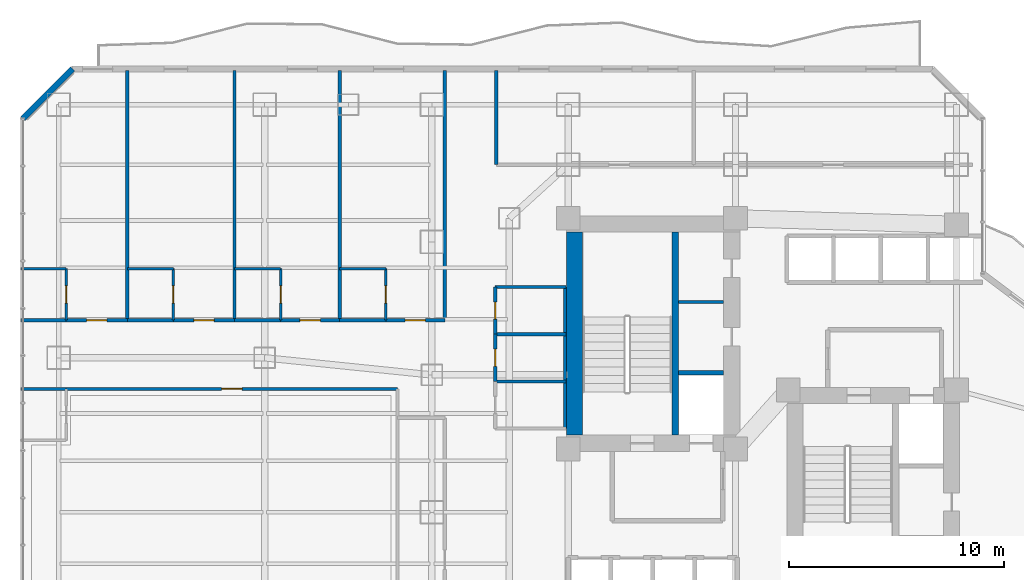
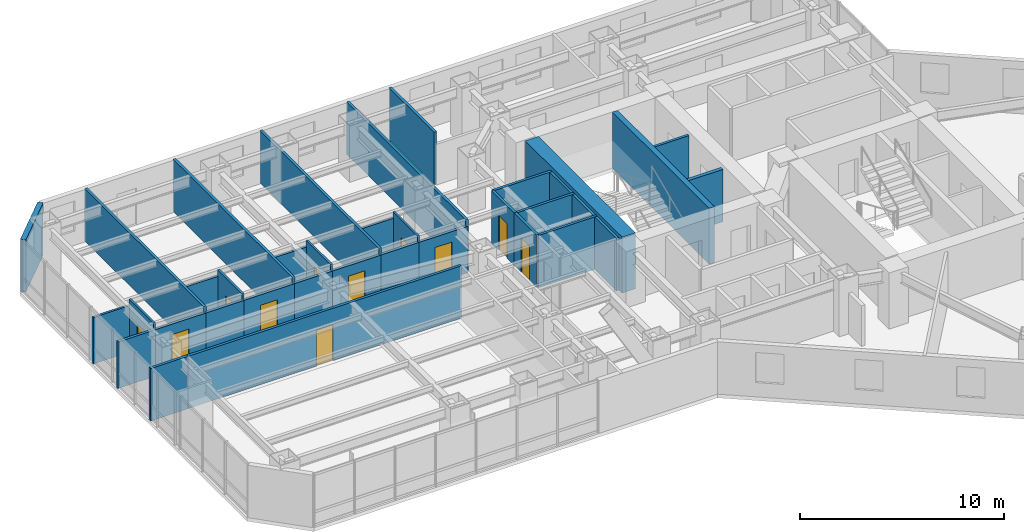
# One storey, part 25 of 33: 34 walls, 11 doors, 11 openings.
"""IFC4 building model written with IfcOpenShell, lengths in metres."""

import ifcopenshell
import ifcopenshell.guid

model = None  # the IFC model being written
_history = None  # IfcOwnerHistory: only IFC2X3 demands one
_inside = {}  # id of a spatial element -> (the spatial element, [elements in it])
_under = {}  # id of a project, library or spatial element -> (it, [spatial elements below it])
_declared = {}  # id of a project -> (the project, [libraries it declares])
_typed = {}  # id of a type object -> (the type object, [elements of that type])
_made_of = {}  # id of a material, layer set ... -> (it, [elements and type objects made of it])


def new_model(schema):
    """Start an empty IFC model of exactly this schema.

    Asked for "IFC4X3", IfcOpenShell would pick the latest addendum, in which some entities
    have other attributes; the version numbers below select the first issue.
    IFC2X3 requires an IfcOwnerHistory on every rooted entity: one is made here for all.
    """
    global model, _history
    if schema == "IFC4X3":
        model = ifcopenshell.file(schema_version=(4, 3, 0, 0))
    else:
        model = ifcopenshell.file(schema=schema)
    _inside.clear()
    _under.clear()
    _declared.clear()
    _typed.clear()
    _made_of.clear()
    _history = None
    if model.schema == "IFC2X3":
        org = make("IfcOrganization", Name="unknown")
        user = make(
            "IfcPersonAndOrganization",
            ThePerson=make("IfcPerson", FamilyName="unknown"),
            TheOrganization=org,
        )
        app = make(
            "IfcApplication",
            ApplicationDeveloper=org,
            Version="unknown",
            ApplicationFullName="unknown",
            ApplicationIdentifier="unknown",
        )
        _history = make(
            "IfcOwnerHistory",
            OwningUser=user,
            OwningApplication=app,
            ChangeAction="ADDED",
            CreationDate=0,
        )
    return model


def make(cls, **values):
    """One entity of the class cls with the attributes given. An attribute that is None is left unset."""
    return model.create_entity(
        cls, **{name: value for name, value in values.items() if value is not None}
    )


def rooted(cls, **values):
    """An entity with a GlobalId (a new one), such as an element, a storey or a relation."""
    return make(cls, GlobalId=ifcopenshell.guid.new(), OwnerHistory=_history, **values)


def si_unit(unit_type, name, prefix=None):
    """IfcSIUnit, for example si_unit("LENGTHUNIT", "METRE", prefix="MILLI")."""
    return make("IfcSIUnit", UnitType=unit_type, Prefix=prefix, Name=name)


def assignment(units):
    """IfcUnitAssignment: the units of a project."""
    return None if units is None else make("IfcUnitAssignment", Units=units)


def point(xyz):
    """IfcCartesianPoint."""
    return None if xyz is None else make("IfcCartesianPoint", Coordinates=xyz)


def direction(xyz):
    """IfcDirection."""
    return None if xyz is None else make("IfcDirection", DirectionRatios=xyz)


def frame(location, z_axis=None, x_axis=None):
    """IfcAxis2Placement3D, a coordinate frame: its origin and axes. An axis left out is left unset."""
    return make(
        "IfcAxis2Placement3D",
        Location=point(location),
        Axis=direction(z_axis),
        RefDirection=direction(x_axis),
    )


def frame_2d(location, x_axis=None):
    """IfcAxis2Placement2D, a coordinate frame in the plane: its origin and x axis."""
    return make(
        "IfcAxis2Placement2D", Location=point(location), RefDirection=direction(x_axis)
    )


def origin():
    """The frame at (0, 0, 0) with its axes left unset."""
    return frame((0.0, 0.0, 0.0))


def place(relative_to, where):
    """IfcLocalPlacement: puts the frame where relative to a parent placement (None: the world)."""
    return make(
        "IfcLocalPlacement", PlacementRelTo=relative_to, RelativePlacement=where
    )


def context(
    kind, dimensions, precision=None, world=None, true_north=None, identifier=None
):
    """IfcGeometricRepresentationContext, for example the 3D "Model" context."""
    return make(
        "IfcGeometricRepresentationContext",
        ContextIdentifier=identifier,
        ContextType=kind,
        CoordinateSpaceDimension=dimensions,
        Precision=precision,
        WorldCoordinateSystem=world,
        TrueNorth=true_north,
    )


def subcontext(parent, identifier, kind, view, scale=None):
    """IfcGeometricRepresentationSubContext, for example "Body" below "Model"."""
    return make(
        "IfcGeometricRepresentationSubContext",
        ContextIdentifier=identifier,
        ContextType=kind,
        ParentContext=parent,
        TargetScale=scale,
        TargetView=view,
    )


def project(units=None, contexts=None):
    """IfcProject with its units and contexts."""
    return rooted(
        "IfcProject",
        Name="project",
        RepresentationContexts=contexts,
        UnitsInContext=assignment(units),
    )


def spatial(cls, under=None, at=None, **own):
    """A site, building, storey or space (cls), placed at a placement, below another one or the project."""
    s = rooted(cls, ObjectPlacement=at, **own)
    if under is not None:
        _under.setdefault(under.id(), (under, []))[1].append(s)
    return s


def profile(cls, at=None, kind="AREA", **sizes):
    """A parametric profile (cls). Its sizes go by their IFC names, for example OverallWidth=200.0."""
    return make(cls, ProfileType=kind, Position=at, **sizes)


def rectangle(**sizes):
    """IfcRectangleProfileDef."""
    return profile("IfcRectangleProfileDef", **sizes)


def extrude(swept, where, along, depth):
    """IfcExtrudedAreaSolid: the profile swept, set in the frame where, extruded along a direction by depth."""
    return make(
        "IfcExtrudedAreaSolid",
        SweptArea=swept,
        Position=where,
        ExtrudedDirection=direction(along),
        Depth=depth,
    )


def shape(context_of_items, identifier, shape_type, items):
    """IfcShapeRepresentation: the items that make up one representation, for example the "Body"."""
    return make(
        "IfcShapeRepresentation",
        ContextOfItems=context_of_items,
        RepresentationIdentifier=identifier,
        RepresentationType=shape_type,
        Items=items,
    )


def material(Name=None, Category=None):
    """IfcMaterial."""
    return make("IfcMaterial", Name=Name, Category=Category)


def layer(
    of_material, thickness, ventilated=None, Name=None, Category=None, Priority=None
):
    """IfcMaterialLayer: one layer of a wall or slab, of a material (None: an air gap)."""
    return make(
        "IfcMaterialLayer",
        Material=of_material,
        LayerThickness=thickness,
        IsVentilated=ventilated,
        Name=Name,
        Category=Category,
        Priority=Priority,
    )


def layer_set(layers, Name=None):
    """IfcMaterialLayerSet."""
    return make("IfcMaterialLayerSet", MaterialLayers=layers, LayerSetName=Name)


def made_of(thing, what):
    """Note that an element or type object is made of a material, layer set ...; save() writes the relation."""
    if what is not None:
        _made_of.setdefault(what.id(), (what, []))[1].append(thing)
    return thing


def type_object(cls, material=None, **own):
    """A type object (cls), such as IfcWallType, which elements share."""
    return made_of(rooted(cls, **own), material)


def element(
    cls,
    number,
    at=None,
    inside=None,
    cuts=None,
    type_object=None,
    material=None,
    context=None,
    identifier="Body",
    shape_type=None,
    held_by="IfcProductDefinitionShape",
    body=None,
    shapes=None,
    **own,
):
    """One element of the class cls, such as IfcWall. Its Tag is "e" and its number.

    at: its placement. inside: the storey or other place that contains it. cuts: it is an
    opening in that element (IfcRelVoidsElement). A single representation is given by context,
    identifier, shape_type and body (its items); several are given by shapes. held_by: the class
    of the entity that holds the representations. save() writes the other relations.
    """
    e = rooted(cls, Tag="e%d" % number, ObjectPlacement=at, **own)
    if body is not None:
        shapes = [shape(context, identifier, shape_type, body)]
    if shapes is not None:
        e.Representation = make(held_by, Representations=shapes)
    if inside is not None:
        _inside.setdefault(inside.id(), (inside, []))[1].append(e)
    if cuts is not None:
        rooted(
            "IfcRelVoidsElement", RelatingBuildingElement=cuts, RelatedOpeningElement=e
        )
    if type_object is not None:
        _typed.setdefault(type_object.id(), (type_object, []))[1].append(e)
    return made_of(e, material)


def fill(opening, filler):
    """IfcRelFillsElement: the door or window that sits in an opening."""
    return rooted(
        "IfcRelFillsElement",
        RelatingOpeningElement=opening,
        RelatedBuildingElement=filler,
    )


def aggregate(whole, parts):
    """IfcRelAggregates: a whole, such as a stair, and the parts it consists of."""
    return rooted("IfcRelAggregates", RelatingObject=whole, RelatedObjects=parts)


def save(model, path):
    """Write the relations noted so far, then the file.

    IfcRelAggregates (storeys below a building ...), IfcRelContainedInSpatialStructure (elements
    in a storey), IfcRelDefinesByType, IfcRelAssociatesMaterial and IfcRelDeclares: one each for
    every whole, place, type object, material and project.
    """
    for whole, parts in _under.values():
        aggregate(whole, parts)
    for where, things in _inside.values():
        rooted(
            "IfcRelContainedInSpatialStructure",
            RelatedElements=things,
            RelatingStructure=where,
        )
    for kind, things in _typed.values():
        rooted("IfcRelDefinesByType", RelatedObjects=things, RelatingType=kind)
    for what, things in _made_of.values():
        rooted("IfcRelAssociatesMaterial", RelatedObjects=things, RelatingMaterial=what)
    for by, libraries in _declared.values():
        rooted("IfcRelDeclares", RelatingContext=by, RelatedDefinitions=libraries)
    model.write(path)


model = new_model("IFC4")

# Units and contexts
model_context = context("Model", 3, precision=1e-05, world=origin(), true_north=direction((0.0, 1.0)))
body_context = subcontext(model_context, "Body", "Model", "MODEL_VIEW")
ifc_project = project(units=[si_unit("LENGTHUNIT", "METRE"), si_unit("AREAUNIT", "SQUARE_METRE"), si_unit("VOLUMEUNIT", "CUBIC_METRE"), si_unit("PLANEANGLEUNIT", "RADIAN"), si_unit("MASSUNIT", "GRAM", prefix="KILO")], contexts=[model_context])

# Site, building, storey
site_placement = place(None, origin())
site = spatial("IfcSite", under=ifc_project, at=site_placement, CompositionType="ELEMENT")
building_placement = place(site_placement, origin())
building = spatial("IfcBuilding", under=site, at=building_placement, Name="Hatsunagi Terrace Concourse", CompositionType="ELEMENT")
storey_placement = place(building_placement, frame((0.0, 0.0, 56.699951171875)))
storey = spatial("IfcBuildingStorey", under=building, at=storey_placement, Name="L14", CompositionType="ELEMENT", Elevation=56.699951171875)

# Walls
ifc_material_1 = material(Name="Concrete Fc60", Category="concrete")
ifc_layer_1 = layer(ifc_material_1, 0.75)
ifc_layer_set_1 = layer_set([ifc_layer_1], Name="CoreShearWall_Fc60_750")
wall_type_1 = type_object("IfcWallType", Name="CoreShearWall_Fc60_750", PredefinedType="SHEAR", material=ifc_layer_set_1)
wall_1_placement = place(storey_placement, frame((25.844970703125, 33.18994140625, 0.0), z_axis=(0.0, 0.0, 1.0), x_axis=(0.0, 1.0, 0.0)))
element("IfcWall", 1, at=wall_1_placement, inside=storey, type_object=wall_type_1, Name="Core A Shear Wall W L14", PredefinedType="SHEAR", context=body_context, shape_type="SweptSolid", body=[
    extrude(rectangle(XDim=9.47998046875, YDim=0.75, at=frame_2d((4.739990234375, 0.0))), origin(), (0.0, 0.0, 1.0), 3.35009765625),
])
ifc_material_2 = material(Name="Concrete Fc48", Category="concrete")
ifc_layer_2 = layer(ifc_material_2, 0.300048828125)
ifc_layer_set_2 = layer_set([ifc_layer_2], Name="CoreStairDivider_Fc48_300")
wall_type_2 = type_object("IfcWallType", Name="CoreStairDivider_Fc48_300", PredefinedType="SHEAR", material=ifc_layer_set_2)
wall_2_placement = place(storey_placement, frame((30.5400390625, 33.18994140625, 0.0), z_axis=(0.0, 0.0, 1.0), x_axis=(0.0, 1.0, 0.0)))
element("IfcWall", 2, at=wall_2_placement, inside=storey, type_object=wall_type_2, Name="Core A Shear Wall D L14", PredefinedType="SHEAR", context=body_context, shape_type="SweptSolid", body=[
    extrude(rectangle(XDim=9.47998046875, YDim=0.300048828125, at=frame_2d((4.739990234375, 0.0))), origin(), (0.0, 0.0, 1.0), 3.35009765625),
])

# Wall, opening, door
ifc_material_3 = material(Name="Acoustic mineral board", Category="gypsum")
ifc_layer_3 = layer(ifc_material_3, 0.1201171875)
ifc_layer_set_3 = layer_set([ifc_layer_3], Name="PartitionWall_EI30_120")
wall_type_3 = type_object("IfcWallType", Name="PartitionWall_EI30_120", PredefinedType="PARTITIONING", material=ifc_layer_set_3)
wall_3_placement = place(storey_placement, frame((2.14990234375, 38.550048828125, 0.0), z_axis=(0.0, 0.0, 1.0), x_axis=(0.0, 1.0, 0.0)))
wall_3 = element("IfcWall", 3, at=wall_3_placement, inside=storey, type_object=wall_type_3, Name="Interior Partition IW-L14-046", PredefinedType="PARTITIONING", context=body_context, shape_type="SweptSolid", body=[
    extrude(rectangle(XDim=2.39990234375, YDim=0.1201171875, at=frame_2d((1.199951171875, 0.0))), origin(), (0.0, 0.0, 1.0), 3.130126953125),
])
opening_1_placement = place(wall_3_placement, frame((0.800048828125, 0.0, 0.0)))
opening_1 = element("IfcOpeningElement", 4, at=opening_1_placement, cuts=wall_3, Name="Opening DR-080", PredefinedType="OPENING", context=body_context, shape_type="SweptSolid", body=[
    extrude(rectangle(XDim=0.800048828125, YDim=2.06005859375, at=frame_2d((0.39990234375, 1.030029296875))), frame((0.0, 0.070068359375, 0.0), z_axis=(0.0, -1.0, 0.0), x_axis=(1.0, 0.0, 0.0)), (0.0, 0.0, 1.0), 0.14013671875),
])
ifc_material_4 = material(Name="Hardwood timber", Category="wood")
door_type_1 = type_object("IfcDoorType", Name="BathroomDoor_800", OperationType="NOTDEFINED", PredefinedType="DOOR", material=ifc_material_4)
door_1_placement = place(opening_1_placement, origin())
door_1 = element("IfcDoor", 5, at=door_1_placement, inside=storey, type_object=door_type_1, Name="En-Suite Bathroom L14-N1 Door", OperationType="SINGLE_SWING_RIGHT", OverallHeight=2.06005859375, OverallWidth=0.800048828125, PredefinedType="DOOR", context=body_context, shape_type="SweptSolid", body=[
    extrude(rectangle(XDim=0.800048828125, YDim=2.06005859375, at=frame_2d((0.39990234375, 1.030029296875))), frame((0.0, 0.02490234375, 0.0), z_axis=(0.0, -1.0, 0.0), x_axis=(1.0, 0.0, 0.0)), (0.0, 0.0, 1.0), 0.050048828125),
])
fill(opening_1, door_1)

# Wall
wall_4_placement = place(storey_placement, frame((0.0400390625, 40.949951171875, 0.0), z_axis=(0.0, 0.0, 1.0), x_axis=(1.0, 0.0, 0.0)))
element("IfcWall", 6, at=wall_4_placement, inside=storey, type_object=wall_type_3, Name="Interior Partition IW-L14-047", PredefinedType="PARTITIONING", context=body_context, shape_type="SweptSolid", body=[
    extrude(rectangle(XDim=2.10986328125, YDim=0.1201171875, at=frame_2d((1.054931640625, 0.0))), origin(), (0.0, 0.0, 1.0), 2.775146484375),
])

# Wall, opening, door
wall_5_placement = place(storey_placement, frame((7.14990234375, 38.550048828125, 0.0), z_axis=(0.0, 0.0, 1.0), x_axis=(0.0, 1.0, 0.0)))
wall_5 = element("IfcWall", 7, at=wall_5_placement, inside=storey, type_object=wall_type_3, Name="Interior Partition IW-L14-051", PredefinedType="PARTITIONING", context=body_context, shape_type="SweptSolid", body=[
    extrude(rectangle(XDim=2.39990234375, YDim=0.1201171875, at=frame_2d((1.199951171875, 0.0))), origin(), (0.0, 0.0, 1.0), 3.130126953125),
])
opening_2_placement = place(wall_5_placement, frame((0.800048828125, 0.0, 0.0)))
opening_2 = element("IfcOpeningElement", 8, at=opening_2_placement, cuts=wall_5, Name="Opening DR-080", PredefinedType="OPENING", context=body_context, shape_type="SweptSolid", body=[
    extrude(rectangle(XDim=0.800048828125, YDim=2.06005859375, at=frame_2d((0.39990234375, 1.030029296875))), frame((0.0, 0.070068359375, 0.0), z_axis=(0.0, -1.0, 0.0), x_axis=(1.0, 0.0, 0.0)), (0.0, 0.0, 1.0), 0.14013671875),
])
door_2_placement = place(opening_2_placement, origin())
door_2 = element("IfcDoor", 9, at=door_2_placement, inside=storey, type_object=door_type_1, Name="En-Suite Bathroom L14-N2 Door", OperationType="SINGLE_SWING_LEFT", OverallHeight=2.06005859375, OverallWidth=0.800048828125, PredefinedType="DOOR", context=body_context, shape_type="SweptSolid", body=[
    extrude(rectangle(XDim=0.800048828125, YDim=2.06005859375, at=frame_2d((0.39990234375, 1.030029296875))), frame((0.0, 0.02490234375, 0.0), z_axis=(0.0, -1.0, 0.0), x_axis=(1.0, 0.0, 0.0)), (0.0, 0.0, 1.0), 0.050048828125),
])
fill(opening_2, door_2)

# Wall
wall_6_placement = place(storey_placement, frame((5.0, 40.949951171875, 0.0), z_axis=(0.0, 0.0, 1.0), x_axis=(1.0, 0.0, 0.0)))
element("IfcWall", 10, at=wall_6_placement, inside=storey, type_object=wall_type_3, Name="Interior Partition IW-L14-052", PredefinedType="PARTITIONING", context=body_context, shape_type="SweptSolid", body=[
    extrude(rectangle(XDim=2.14990234375, YDim=0.1201171875, at=frame_2d((1.074951171875, 0.0))), origin(), (0.0, 0.0, 1.0), 2.775146484375),
])

# Wall, opening, door
wall_7_placement = place(storey_placement, frame((12.14990234375, 38.550048828125, 0.0), z_axis=(0.0, 0.0, 1.0), x_axis=(0.0, 1.0, 0.0)))
wall_7 = element("IfcWall", 11, at=wall_7_placement, inside=storey, type_object=wall_type_3, Name="Interior Partition IW-L14-056", PredefinedType="PARTITIONING", context=body_context, shape_type="SweptSolid", body=[
    extrude(rectangle(XDim=2.39990234375, YDim=0.1201171875, at=frame_2d((1.199951171875, 0.0))), origin(), (0.0, 0.0, 1.0), 3.130126953125),
])
opening_3_placement = place(wall_7_placement, frame((0.800048828125, 0.0, 0.0)))
opening_3 = element("IfcOpeningElement", 12, at=opening_3_placement, cuts=wall_7, Name="Opening DR-080", PredefinedType="OPENING", context=body_context, shape_type="SweptSolid", body=[
    extrude(rectangle(XDim=0.800048828125, YDim=2.06005859375, at=frame_2d((0.39990234375, 1.030029296875))), frame((0.0, 0.070068359375, 0.0), z_axis=(0.0, -1.0, 0.0), x_axis=(1.0, 0.0, 0.0)), (0.0, 0.0, 1.0), 0.14013671875),
])
door_3_placement = place(opening_3_placement, origin())
door_3 = element("IfcDoor", 13, at=door_3_placement, inside=storey, type_object=door_type_1, Name="En-Suite Bathroom L14-N3 Door", OperationType="SINGLE_SWING_RIGHT", OverallHeight=2.06005859375, OverallWidth=0.800048828125, PredefinedType="DOOR", context=body_context, shape_type="SweptSolid", body=[
    extrude(rectangle(XDim=0.800048828125, YDim=2.06005859375, at=frame_2d((0.39990234375, 1.030029296875))), frame((0.0, 0.02490234375, 0.0), z_axis=(0.0, -1.0, 0.0), x_axis=(1.0, 0.0, 0.0)), (0.0, 0.0, 1.0), 0.050048828125),
])
fill(opening_3, door_3)

# Wall
wall_8_placement = place(storey_placement, frame((10.0, 40.949951171875, 0.0), z_axis=(0.0, 0.0, 1.0), x_axis=(1.0, 0.0, 0.0)))
element("IfcWall", 14, at=wall_8_placement, inside=storey, type_object=wall_type_3, Name="Interior Partition IW-L14-057", PredefinedType="PARTITIONING", context=body_context, shape_type="SweptSolid", body=[
    extrude(rectangle(XDim=2.14990234375, YDim=0.1201171875, at=frame_2d((1.074951171875, 0.0))), origin(), (0.0, 0.0, 1.0), 2.775146484375),
])

# Wall, opening, door
wall_9_placement = place(storey_placement, frame((17.050048828125, 38.550048828125, 0.0), z_axis=(0.0, 0.0, 1.0), x_axis=(0.0, 1.0, 0.0)))
wall_9 = element("IfcWall", 15, at=wall_9_placement, inside=storey, type_object=wall_type_3, Name="Interior Partition IW-L14-061", PredefinedType="PARTITIONING", context=body_context, shape_type="SweptSolid", body=[
    extrude(rectangle(XDim=2.39990234375, YDim=0.1201171875, at=frame_2d((1.199951171875, 0.0))), origin(), (0.0, 0.0, 1.0), 3.130126953125),
])
opening_4_placement = place(wall_9_placement, frame((0.800048828125, 0.0, 0.0)))
opening_4 = element("IfcOpeningElement", 16, at=opening_4_placement, cuts=wall_9, Name="Opening DR-080", PredefinedType="OPENING", context=body_context, shape_type="SweptSolid", body=[
    extrude(rectangle(XDim=0.800048828125, YDim=2.06005859375, at=frame_2d((0.39990234375, 1.030029296875))), frame((0.0, 0.070068359375, 0.0), z_axis=(0.0, -1.0, 0.0), x_axis=(1.0, 0.0, 0.0)), (0.0, 0.0, 1.0), 0.14013671875),
])
door_4_placement = place(opening_4_placement, origin())
door_4 = element("IfcDoor", 17, at=door_4_placement, inside=storey, type_object=door_type_1, Name="En-Suite Bathroom L14-N4 Door", OperationType="SINGLE_SWING_LEFT", OverallHeight=2.06005859375, OverallWidth=0.800048828125, PredefinedType="DOOR", context=body_context, shape_type="SweptSolid", body=[
    extrude(rectangle(XDim=0.800048828125, YDim=2.06005859375, at=frame_2d((0.39990234375, 1.030029296875))), frame((0.0, 0.02490234375, 0.0), z_axis=(0.0, -1.0, 0.0), x_axis=(1.0, 0.0, 0.0)), (0.0, 0.0, 1.0), 0.050048828125),
])
fill(opening_4, door_4)

# Walls
wall_10_placement = place(storey_placement, frame((14.89990234375, 40.949951171875, 0.0), z_axis=(0.0, 0.0, 1.0), x_axis=(1.0, 0.0, 0.0)))
element("IfcWall", 18, at=wall_10_placement, inside=storey, type_object=wall_type_3, Name="Interior Partition IW-L14-062", PredefinedType="PARTITIONING", context=body_context, shape_type="SweptSolid", body=[
    extrude(rectangle(XDim=2.150146484375, YDim=0.1201171875, at=frame_2d((1.0751953125, 0.0))), origin(), (0.0, 0.0, 1.0), 2.775146484375),
])
ifc_material_5 = material(Name="Acoustic mineral board", Category="gypsum")
ifc_layer_4 = layer(ifc_material_5, 0.14990234375)
ifc_layer_set_4 = layer_set([ifc_layer_4], Name="PartitionWall_EI60_150")
wall_type_4 = type_object("IfcWallType", Name="PartitionWall_EI60_150", PredefinedType="PARTITIONING", material=ifc_layer_set_4)
wall_11_placement = place(storey_placement, frame((30.699951171875, 39.39990234375, 0.0), z_axis=(0.0, 0.0, 1.0), x_axis=(1.0, 0.0, 0.0)))
element("IfcWall", 19, at=wall_11_placement, inside=storey, type_object=wall_type_4, Name="Interior Partition IW-L14-002", PredefinedType="PARTITIONING", context=body_context, shape_type="SweptSolid", body=[
    extrude(rectangle(XDim=2.10009765625, YDim=0.14990234375, at=frame_2d((1.050048828125, 0.0))), origin(), (0.0, 0.0, 1.0), 3.130126953125),
])
wall_12_placement = place(storey_placement, frame((22.14990234375, 40.10009765625, 0.0), z_axis=(0.0, 0.0, 1.0), x_axis=(1.0, 0.0, 0.0)))
element("IfcWall", 20, at=wall_12_placement, inside=storey, type_object=wall_type_4, Name="Interior Partition IW-L14-030", PredefinedType="PARTITIONING", context=body_context, shape_type="SweptSolid", body=[
    extrude(rectangle(XDim=3.300048828125, YDim=0.14990234375, at=frame_2d((1.64990234375, 0.0))), origin(), (0.0, 0.0, 1.0), 3.130126953125),
])
wall_13_placement = place(storey_placement, frame((25.39990234375, 33.5, 0.0), z_axis=(0.0, 0.0, 1.0), x_axis=(0.0, 1.0, 0.0)))
element("IfcWall", 21, at=wall_13_placement, inside=storey, type_object=wall_type_4, Name="Interior Partition IW-L14-031", PredefinedType="PARTITIONING", context=body_context, shape_type="SweptSolid", body=[
    extrude(rectangle(XDim=6.60009765625, YDim=0.14990234375, at=frame_2d((3.300048828125, 0.0))), origin(), (0.0, 0.0, 1.0), 3.130126953125),
])
for number, where, z_axis, x_axis, name in (
    (22, (22.14990234375, 35.699951171875, 0.0), (0.0, 0.0, 1.0), (1.0, 0.0, 0.0), "Interior Partition IW-L14-032"),
    (23, (22.14990234375, 37.89990234375, 0.0), (0.0, 0.0, 1.0), (1.0, 0.0, 0.0), "Interior Partition IW-L14-033"),
):
    element("IfcWall", number, at=place(storey_placement, frame(where, z_axis=z_axis, x_axis=x_axis)), inside=storey, type_object=wall_type_4, Name=name, PredefinedType="PARTITIONING", context=body_context, shape_type="SweptSolid", body=[
        extrude(rectangle(XDim=3.300048828125, YDim=0.14990234375, at=frame_2d((1.64990234375, 0.0))), origin(), (0.0, 0.0, 1.0), 3.130126953125),
    ])

# Wall, opening, door
wall_14_placement = place(storey_placement, frame((22.14990234375, 35.699951171875, 0.0), z_axis=(0.0, 0.0, 1.0), x_axis=(0.0, 1.0, 0.0)))
wall_14 = element("IfcWall", 24, at=wall_14_placement, inside=storey, type_object=wall_type_4, Name="Interior Partition IW-L14-035", PredefinedType="PARTITIONING", context=body_context, shape_type="SweptSolid", body=[
    extrude(rectangle(XDim=2.199951171875, YDim=0.14990234375, at=frame_2d((1.10009765625, 0.0))), origin(), (0.0, 0.0, 1.0), 3.130126953125),
])
opening_5_placement = place(wall_14_placement, frame((0.699951171875, 0.0, 0.0)))
opening_5 = element("IfcOpeningElement", 25, at=opening_5_placement, cuts=wall_14, Name="Opening DR-080", PredefinedType="OPENING", context=body_context, shape_type="SweptSolid", body=[
    extrude(rectangle(XDim=0.800048828125, YDim=2.06005859375, at=frame_2d((0.39990234375, 1.030029296875))), frame((0.0, 0.0849609375, 0.0), z_axis=(0.0, -1.0, 0.0), x_axis=(1.0, 0.0, 0.0)), (0.0, 0.0, 1.0), 0.169921875),
])
door_5_placement = place(opening_5_placement, origin())
door_5 = element("IfcDoor", 26, at=door_5_placement, inside=storey, type_object=door_type_1, Name="Female Restroom Door L14", OperationType="SINGLE_SWING_RIGHT", OverallHeight=2.06005859375, OverallWidth=0.800048828125, PredefinedType="DOOR", context=body_context, shape_type="SweptSolid", body=[
    extrude(rectangle(XDim=0.800048828125, YDim=2.06005859375, at=frame_2d((0.39990234375, 1.030029296875))), frame((0.0, 0.02490234375, 0.0), z_axis=(0.0, -1.0, 0.0), x_axis=(1.0, 0.0, 0.0)), (0.0, 0.0, 1.0), 0.050048828125),
])
fill(opening_5, door_5)

wall_15_placement = place(storey_placement, frame((22.14990234375, 37.89990234375, 0.0), z_axis=(0.0, 0.0, 1.0), x_axis=(0.0, 1.0, 0.0)))
wall_15 = element("IfcWall", 27, at=wall_15_placement, inside=storey, type_object=wall_type_4, Name="Interior Partition IW-L14-036", PredefinedType="PARTITIONING", context=body_context, shape_type="SweptSolid", body=[
    extrude(rectangle(XDim=2.2001953125, YDim=0.14990234375, at=frame_2d((1.10009765625, 0.0))), origin(), (0.0, 0.0, 1.0), 3.130126953125),
])
opening_6_placement = place(wall_15_placement, frame((0.699951171875, 0.0, 0.0)))
opening_6 = element("IfcOpeningElement", 28, at=opening_6_placement, cuts=wall_15, Name="Opening DR-080", PredefinedType="OPENING", context=body_context, shape_type="SweptSolid", body=[
    extrude(rectangle(XDim=0.800048828125, YDim=2.06005859375, at=frame_2d((0.39990234375, 1.030029296875))), frame((0.0, 0.0849609375, 0.0), z_axis=(0.0, -1.0, 0.0), x_axis=(1.0, 0.0, 0.0)), (0.0, 0.0, 1.0), 0.169921875),
])
door_6_placement = place(opening_6_placement, origin())
door_6 = element("IfcDoor", 29, at=door_6_placement, inside=storey, type_object=door_type_1, Name="Male Restroom Door L14", OperationType="SINGLE_SWING_RIGHT", OverallHeight=2.06005859375, OverallWidth=0.800048828125, PredefinedType="DOOR", context=body_context, shape_type="SweptSolid", body=[
    extrude(rectangle(XDim=0.800048828125, YDim=2.06005859375, at=frame_2d((0.39990234375, 1.030029296875))), frame((0.0, 0.02490234375, 0.0), z_axis=(0.0, -1.0, 0.0), x_axis=(1.0, 0.0, 0.0)), (0.0, 0.0, 1.0), 0.050048828125),
])
fill(opening_6, door_6)

# Walls
wall_16_placement = place(storey_placement, frame((22.199951171875, 45.800048828125, 0.0), z_axis=(0.0, 0.0, 1.0), x_axis=(0.0, 1.0, 0.0)))
element("IfcWall", 30, at=wall_16_placement, inside=storey, type_object=wall_type_4, Name="Interior Partition IW-L14-038", PredefinedType="PARTITIONING", context=body_context, shape_type="SweptSolid", body=[
    extrude(rectangle(XDim=4.39990234375, YDim=0.14990234375, at=frame_2d((2.199951171875, 0.0))), origin(), (0.0, 0.0, 1.0), 3.130126953125),
])
wall_17_placement = place(storey_placement, frame((0.0400390625, 38.550048828125, 0.0), z_axis=(0.0, 0.0, 1.0), x_axis=(1.0, 0.0, 0.0)))
element("IfcWall", 31, at=wall_17_placement, inside=storey, type_object=wall_type_4, Name="Interior Partition IW-L14-044", PredefinedType="PARTITIONING", context=body_context, shape_type="SweptSolid", body=[
    extrude(rectangle(XDim=2.10986328125, YDim=0.14990234375, at=frame_2d((1.054931640625, 0.0))), origin(), (0.0, 0.0, 1.0), 2.775146484375),
])

# Wall, opening, door
wall_18_placement = place(storey_placement, frame((2.14990234375, 38.550048828125, 0.0), z_axis=(0.0, 0.0, 1.0), x_axis=(1.0, 0.0, 0.0)))
wall_18 = element("IfcWall", 32, at=wall_18_placement, inside=storey, type_object=wall_type_4, Name="Interior Partition IW-L14-045", PredefinedType="PARTITIONING", context=body_context, shape_type="SweptSolid", body=[
    extrude(rectangle(XDim=2.85009765625, YDim=0.14990234375, at=frame_2d((1.425048828125, 0.0))), origin(), (0.0, 0.0, 1.0), 2.775146484375),
])
opening_7_placement = place(wall_18_placement, frame((0.949951171875, 0.0, 0.0)))
opening_7 = element("IfcOpeningElement", 33, at=opening_7_placement, cuts=wall_18, Name="Opening DR-095", PredefinedType="OPENING", context=body_context, shape_type="SweptSolid", body=[
    extrude(rectangle(XDim=0.949951171875, YDim=2.14990234375, at=frame_2d((0.47509765625, 1.074951171875))), frame((0.0, 0.0849609375, 0.0), z_axis=(0.0, -1.0, 0.0), x_axis=(1.0, 0.0, 0.0)), (0.0, 0.0, 1.0), 0.169921875),
])
ifc_material_6 = material(Name="Hardwood timber", Category="wood")
door_type_2 = type_object("IfcDoorType", Name="InteriorSuiteDoor_EI30_950", OperationType="NOTDEFINED", PredefinedType="DOOR", material=ifc_material_6)
door_7_placement = place(opening_7_placement, origin())
door_7 = element("IfcDoor", 34, at=door_7_placement, inside=storey, type_object=door_type_2, Name="Hotel Guest Room L14-N1 Door", OperationType="SINGLE_SWING_LEFT", OverallHeight=2.14990234375, OverallWidth=0.949951171875, PredefinedType="DOOR", context=body_context, shape_type="SweptSolid", body=[
    extrude(rectangle(XDim=0.949951171875, YDim=2.14990234375, at=frame_2d((0.47509765625, 1.074951171875))), frame((0.0, 0.02490234375, 0.0), z_axis=(0.0, -1.0, 0.0), x_axis=(1.0, 0.0, 0.0)), (0.0, 0.0, 1.0), 0.050048828125),
])
fill(opening_7, door_7)

# Walls
wall_19_placement = place(storey_placement, frame((5.0, 38.550048828125, 0.0), z_axis=(0.0, 0.0, 1.0), x_axis=(0.0, 1.0, 0.0)))
element("IfcWall", 35, at=wall_19_placement, inside=storey, type_object=wall_type_4, Name="Interior Partition IW-L14-048", PredefinedType="PARTITIONING", context=body_context, shape_type="SweptSolid", body=[
    extrude(rectangle(XDim=11.64990234375, YDim=0.14990234375, at=frame_2d((5.824951171875, 0.0))), origin(), (0.0, 0.0, 1.0), 3.130126953125),
])
wall_20_placement = place(storey_placement, frame((5.0, 38.550048828125, 0.0), z_axis=(0.0, 0.0, 1.0), x_axis=(1.0, 0.0, 0.0)))
element("IfcWall", 36, at=wall_20_placement, inside=storey, type_object=wall_type_4, Name="Interior Partition IW-L14-049", PredefinedType="PARTITIONING", context=body_context, shape_type="SweptSolid", body=[
    extrude(rectangle(XDim=2.14990234375, YDim=0.14990234375, at=frame_2d((1.074951171875, 0.0))), origin(), (0.0, 0.0, 1.0), 2.775146484375),
])

# Wall, opening, door
wall_21_placement = place(storey_placement, frame((7.14990234375, 38.550048828125, 0.0), z_axis=(0.0, 0.0, 1.0), x_axis=(1.0, 0.0, 0.0)))
wall_21 = element("IfcWall", 37, at=wall_21_placement, inside=storey, type_object=wall_type_4, Name="Interior Partition IW-L14-050", PredefinedType="PARTITIONING", context=body_context, shape_type="SweptSolid", body=[
    extrude(rectangle(XDim=2.85009765625, YDim=0.14990234375, at=frame_2d((1.425048828125, 0.0))), origin(), (0.0, 0.0, 1.0), 2.775146484375),
])
opening_8_placement = place(wall_21_placement, frame((0.949951171875, 0.0, 0.0)))
opening_8 = element("IfcOpeningElement", 38, at=opening_8_placement, cuts=wall_21, Name="Opening DR-095", PredefinedType="OPENING", context=body_context, shape_type="SweptSolid", body=[
    extrude(rectangle(XDim=0.949951171875, YDim=2.14990234375, at=frame_2d((0.47509765625, 1.074951171875))), frame((0.0, 0.0849609375, 0.0), z_axis=(0.0, -1.0, 0.0), x_axis=(1.0, 0.0, 0.0)), (0.0, 0.0, 1.0), 0.169921875),
])
door_8_placement = place(opening_8_placement, origin())
door_8 = element("IfcDoor", 39, at=door_8_placement, inside=storey, type_object=door_type_2, Name="Hotel Guest Room L14-N2 Door", OperationType="SINGLE_SWING_LEFT", OverallHeight=2.14990234375, OverallWidth=0.949951171875, PredefinedType="DOOR", context=body_context, shape_type="SweptSolid", body=[
    extrude(rectangle(XDim=0.949951171875, YDim=2.14990234375, at=frame_2d((0.47509765625, 1.074951171875))), frame((0.0, 0.02490234375, 0.0), z_axis=(0.0, -1.0, 0.0), x_axis=(1.0, 0.0, 0.0)), (0.0, 0.0, 1.0), 0.050048828125),
])
fill(opening_8, door_8)

# Walls
wall_22_placement = place(storey_placement, frame((10.0, 38.550048828125, 0.0), z_axis=(0.0, 0.0, 1.0), x_axis=(0.0, 1.0, 0.0)))
element("IfcWall", 40, at=wall_22_placement, inside=storey, type_object=wall_type_4, Name="Interior Partition IW-L14-053", PredefinedType="PARTITIONING", context=body_context, shape_type="SweptSolid", body=[
    extrude(rectangle(XDim=11.64990234375, YDim=0.14990234375, at=frame_2d((5.824951171875, 0.0))), origin(), (0.0, 0.0, 1.0), 3.130126953125),
])
wall_23_placement = place(storey_placement, frame((10.0, 38.550048828125, 0.0), z_axis=(0.0, 0.0, 1.0), x_axis=(1.0, 0.0, 0.0)))
element("IfcWall", 41, at=wall_23_placement, inside=storey, type_object=wall_type_4, Name="Interior Partition IW-L14-054", PredefinedType="PARTITIONING", context=body_context, shape_type="SweptSolid", body=[
    extrude(rectangle(XDim=2.14990234375, YDim=0.14990234375, at=frame_2d((1.074951171875, 0.0))), origin(), (0.0, 0.0, 1.0), 2.775146484375),
])

# Wall, opening, door
wall_24_placement = place(storey_placement, frame((12.14990234375, 38.550048828125, 0.0), z_axis=(0.0, 0.0, 1.0), x_axis=(1.0, 0.0, 0.0)))
wall_24 = element("IfcWall", 42, at=wall_24_placement, inside=storey, type_object=wall_type_4, Name="Interior Partition IW-L14-055", PredefinedType="PARTITIONING", context=body_context, shape_type="SweptSolid", body=[
    extrude(rectangle(XDim=2.75, YDim=0.14990234375, at=frame_2d((1.375, 0.0))), origin(), (0.0, 0.0, 1.0), 2.775146484375),
])
opening_9_placement = place(wall_24_placement, frame((0.89990234375, 0.0, 0.0)))
opening_9 = element("IfcOpeningElement", 43, at=opening_9_placement, cuts=wall_24, Name="Opening DR-095", PredefinedType="OPENING", context=body_context, shape_type="SweptSolid", body=[
    extrude(rectangle(XDim=0.949951171875, YDim=2.14990234375, at=frame_2d((0.47509765625, 1.074951171875))), frame((0.0, 0.0849609375, 0.0), z_axis=(0.0, -1.0, 0.0), x_axis=(1.0, 0.0, 0.0)), (0.0, 0.0, 1.0), 0.169921875),
])
door_9_placement = place(opening_9_placement, origin())
door_9 = element("IfcDoor", 44, at=door_9_placement, inside=storey, type_object=door_type_2, Name="Hotel Guest Room L14-N3 Door", OperationType="SINGLE_SWING_LEFT", OverallHeight=2.14990234375, OverallWidth=0.949951171875, PredefinedType="DOOR", context=body_context, shape_type="SweptSolid", body=[
    extrude(rectangle(XDim=0.949951171875, YDim=2.14990234375, at=frame_2d((0.47509765625, 1.074951171875))), frame((0.0, 0.02490234375, 0.0), z_axis=(0.0, -1.0, 0.0), x_axis=(1.0, 0.0, 0.0)), (0.0, 0.0, 1.0), 0.050048828125),
])
fill(opening_9, door_9)

# Walls
wall_25_placement = place(storey_placement, frame((14.89990234375, 38.550048828125, 0.0), z_axis=(0.0, 0.0, 1.0), x_axis=(0.0, 1.0, 0.0)))
element("IfcWall", 45, at=wall_25_placement, inside=storey, type_object=wall_type_4, Name="Interior Partition IW-L14-058", PredefinedType="PARTITIONING", context=body_context, shape_type="SweptSolid", body=[
    extrude(rectangle(XDim=11.64990234375, YDim=0.14990234375, at=frame_2d((5.824951171875, 0.0))), origin(), (0.0, 0.0, 1.0), 3.130126953125),
])
wall_26_placement = place(storey_placement, frame((14.89990234375, 38.550048828125, 0.0), z_axis=(0.0, 0.0, 1.0), x_axis=(1.0, 0.0, 0.0)))
element("IfcWall", 46, at=wall_26_placement, inside=storey, type_object=wall_type_4, Name="Interior Partition IW-L14-059", PredefinedType="PARTITIONING", context=body_context, shape_type="SweptSolid", body=[
    extrude(rectangle(XDim=2.150146484375, YDim=0.14990234375, at=frame_2d((1.0751953125, 0.0))), origin(), (0.0, 0.0, 1.0), 2.775146484375),
])

# Wall, opening, door
wall_27_placement = place(storey_placement, frame((17.050048828125, 38.550048828125, 0.0), z_axis=(0.0, 0.0, 1.0), x_axis=(1.0, 0.0, 0.0)))
wall_27 = element("IfcWall", 47, at=wall_27_placement, inside=storey, type_object=wall_type_4, Name="Interior Partition IW-L14-060", PredefinedType="PARTITIONING", context=body_context, shape_type="SweptSolid", body=[
    extrude(rectangle(XDim=2.75, YDim=0.14990234375, at=frame_2d((1.375, 0.0))), origin(), (0.0, 0.0, 1.0), 2.775146484375),
])
opening_10_placement = place(wall_27_placement, frame((0.89990234375, 0.0, 0.0)))
opening_10 = element("IfcOpeningElement", 48, at=opening_10_placement, cuts=wall_27, Name="Opening DR-095", PredefinedType="OPENING", context=body_context, shape_type="SweptSolid", body=[
    extrude(rectangle(XDim=0.949951171875, YDim=2.14990234375, at=frame_2d((0.47509765625, 1.074951171875))), frame((0.0, 0.0849609375, 0.0), z_axis=(0.0, -1.0, 0.0), x_axis=(1.0, 0.0, 0.0)), (0.0, 0.0, 1.0), 0.169921875),
])
door_10_placement = place(opening_10_placement, origin())
door_10 = element("IfcDoor", 49, at=door_10_placement, inside=storey, type_object=door_type_2, Name="Hotel Guest Room L14-N4 Door", OperationType="SINGLE_SWING_LEFT", OverallHeight=2.14990234375, OverallWidth=0.949951171875, PredefinedType="DOOR", context=body_context, shape_type="SweptSolid", body=[
    extrude(rectangle(XDim=0.949951171875, YDim=2.14990234375, at=frame_2d((0.47509765625, 1.074951171875))), frame((0.0, 0.02490234375, 0.0), z_axis=(0.0, -1.0, 0.0), x_axis=(1.0, 0.0, 0.0)), (0.0, 0.0, 1.0), 0.050048828125),
])
fill(opening_10, door_10)

# Walls
wall_28_placement = place(storey_placement, frame((19.800048828125, 38.550048828125, 0.0), z_axis=(0.0, 0.0, 1.0), x_axis=(0.0, 1.0, 0.0)))
element("IfcWall", 50, at=wall_28_placement, inside=storey, type_object=wall_type_4, Name="Interior Partition IW-L14-063", PredefinedType="PARTITIONING", context=body_context, shape_type="SweptSolid", body=[
    extrude(rectangle(XDim=11.64990234375, YDim=0.14990234375, at=frame_2d((5.824951171875, 0.0))), origin(), (0.0, 0.0, 1.0), 3.130126953125),
])
wall_29_placement = place(storey_placement, frame((0.0400390625, 35.35009765625, 0.0), z_axis=(0.0, 0.0, 1.0), x_axis=(1.0, 0.0, 0.0)))
element("IfcWall", 51, at=wall_29_placement, inside=storey, type_object=wall_type_4, Name="Interior Partition IW-L14-064", PredefinedType="PARTITIONING", context=body_context, shape_type="SweptSolid", body=[
    extrude(rectangle(XDim=2.10986328125, YDim=0.14990234375, at=frame_2d((1.054931640625, 0.0))), origin(), (0.0, 0.0, 1.0), 3.130126953125),
])

# Wall, opening, door
wall_30_placement = place(storey_placement, frame((2.14990234375, 35.35009765625, 0.0), z_axis=(0.0, 0.0, 1.0), x_axis=(1.0, 0.0, 0.0)))
wall_30 = element("IfcWall", 52, at=wall_30_placement, inside=storey, type_object=wall_type_4, Name="Interior Partition IW-L14-065", PredefinedType="PARTITIONING", context=body_context, shape_type="SweptSolid", body=[
    extrude(rectangle(XDim=15.4501953125, YDim=0.14990234375, at=frame_2d((7.72509765625, 0.0))), origin(), (0.0, 0.0, 1.0), 3.130126953125),
])
opening_11_placement = place(wall_30_placement, frame((7.25, 0.0, 0.0)))
opening_11 = element("IfcOpeningElement", 53, at=opening_11_placement, cuts=wall_30, Name="Opening DR-095", PredefinedType="OPENING", context=body_context, shape_type="SweptSolid", body=[
    extrude(rectangle(XDim=0.949951171875, YDim=2.14990234375, at=frame_2d((0.47509765625, 1.074951171875))), frame((0.0, 0.0849609375, 0.0), z_axis=(0.0, -1.0, 0.0), x_axis=(1.0, 0.0, 0.0)), (0.0, 0.0, 1.0), 0.169921875),
])
door_11_placement = place(opening_11_placement, origin())
door_11 = element("IfcDoor", 54, at=door_11_placement, inside=storey, type_object=door_type_2, Name="Corner Hotel Suite L14-S1 Door", OperationType="SINGLE_SWING_RIGHT", OverallHeight=2.14990234375, OverallWidth=0.949951171875, PredefinedType="DOOR", context=body_context, shape_type="SweptSolid", body=[
    extrude(rectangle(XDim=0.949951171875, YDim=2.14990234375, at=frame_2d((0.47509765625, 1.074951171875))), frame((0.0, 0.02490234375, 0.0), z_axis=(0.0, -1.0, 0.0), x_axis=(1.0, 0.0, 0.0)), (0.0, 0.0, 1.0), 0.050048828125),
])
fill(opening_11, door_11)

# Walls
ifc_material_7 = material(Name="Acoustic mineral board", Category="gypsum")
ifc_layer_5 = layer(ifc_material_7, 0.199951171875)
ifc_layer_set_5 = layer_set([ifc_layer_5], Name="ShaftWall_EI120_200")
wall_type_5 = type_object("IfcWallType", Name="ShaftWall_EI120_200", PredefinedType="STANDARD", material=ifc_layer_set_5)
wall_31_placement = place(storey_placement, frame((30.699951171875, 36.10009765625, 0.0), z_axis=(0.0, 0.0, 1.0), x_axis=(1.0, 0.0, 0.0)))
element("IfcWall", 55, at=wall_31_placement, inside=storey, type_object=wall_type_5, Name="Interior Partition IW-L14-001", PredefinedType="STANDARD", context=body_context, shape_type="SweptSolid", body=[
    extrude(rectangle(XDim=2.10009765625, YDim=0.199951171875, at=frame_2d((1.050048828125, 0.0))), origin(), (0.0, 0.0, 1.0), 3.130126953125),
])
ifc_material_8 = material(Name="Autoclaved Lightweight Concrete and Terracotta Cladding", Category="masonry")
ifc_layer_6 = layer(ifc_material_8, 0.280029296875)
ifc_layer_set_6 = layer_set([ifc_layer_6], Name="TerracottaSpandrelWall_280")
wall_type_6 = type_object("IfcWallType", Name="TerracottaSpandrelWall_280", PredefinedType="STANDARD", material=ifc_layer_set_6)
wall_32_placement = place(storey_placement, frame((0.139892578125, 47.94189453125, 0.0), z_axis=(0.0, 0.0, 1.0), x_axis=(0.707106781187, 0.707106781187, 0.0)))
element("IfcWall", 56, at=wall_32_placement, inside=storey, type_object=wall_type_6, Name="Exterior Spandrel Wall EW-L14-10", PredefinedType="STANDARD", context=body_context, shape_type="SweptSolid", body=[
    extrude(rectangle(XDim=3.2783203125, YDim=0.280029296875, at=frame_2d((1.63916015625, 0.0))), origin(), (0.0, 0.0, 1.0), 3.130126953125),
])

save(model, "model.ifc")
